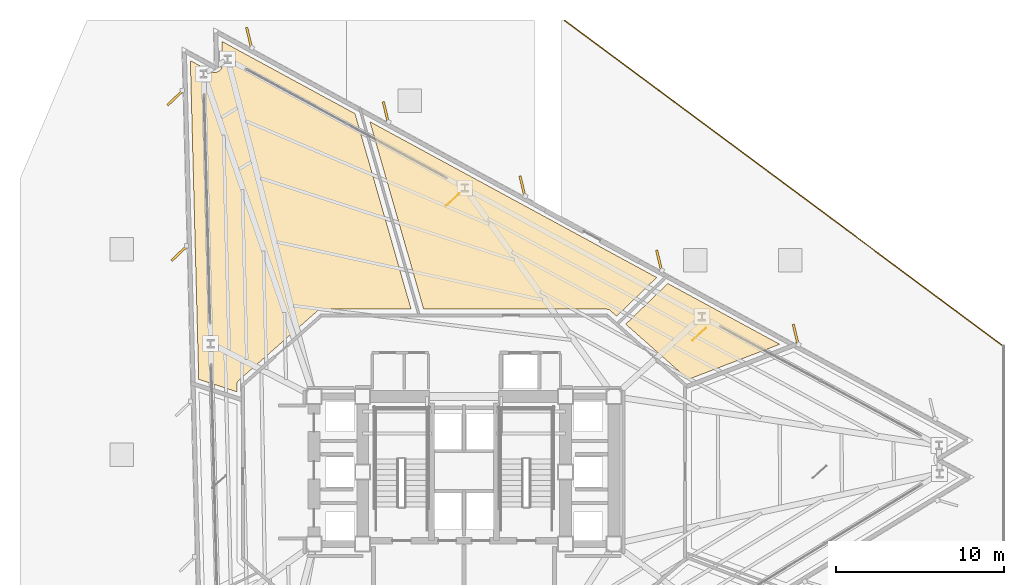
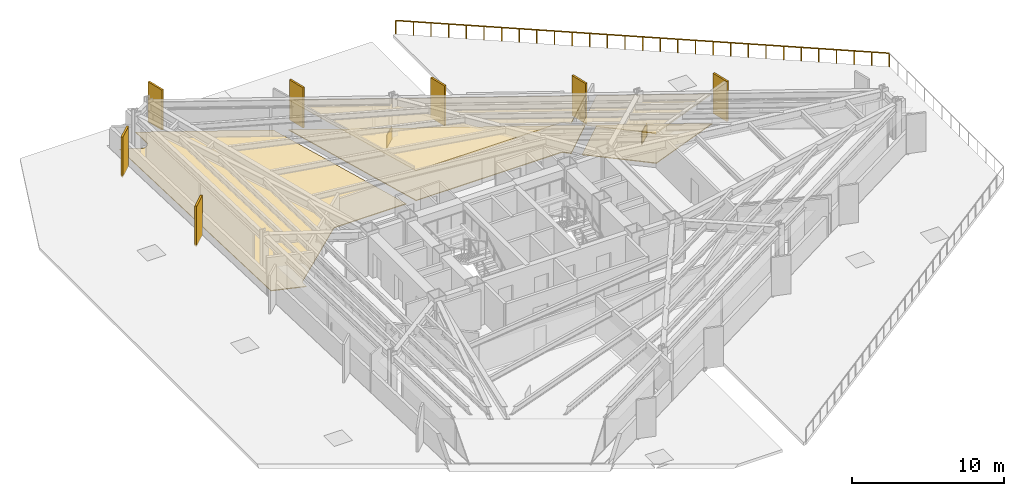
# One storey, part 13 of 13: 7 coverings, 7 shading devices, 1 railing.
"""IFC4 building model written with IfcOpenShell, lengths in metres."""

from ifc_helpers import new_model, si_unit, direction, frame, origin, origin_2d, place, context, subcontext, project, spatial, polyline, rectangle, outline, extrude, material, layer, layer_set, type_object, element, save


model = new_model("IFC4")

# Units and contexts
model_context = context("Model", 3, precision=1e-05, world=origin(), true_north=direction((0.0, 1.0)))
body_context = subcontext(model_context, "Body", "Model", "MODEL_VIEW")
ifc_project = project(units=[si_unit("LENGTHUNIT", "METRE"), si_unit("AREAUNIT", "SQUARE_METRE"), si_unit("VOLUMEUNIT", "CUBIC_METRE"), si_unit("PLANEANGLEUNIT", "RADIAN"), si_unit("MASSUNIT", "GRAM", prefix="KILO")], contexts=[model_context])

# Site, building, storey
site_placement = place(None, origin())
site = spatial("IfcSite", under=ifc_project, at=site_placement, CompositionType="ELEMENT")
building_placement = place(site_placement, origin())
building = spatial("IfcBuilding", under=site, at=building_placement, Name="Rocaltana Carrier Exchange", CompositionType="ELEMENT")
storey_placement = place(building_placement, frame((0.0, 0.0, 18.8798828125)))
storey = spatial("IfcBuildingStorey", under=building, at=storey_placement, Name="L06", CompositionType="ELEMENT", Elevation=18.8798828125)

# Coverings
ifc_material_1 = material(Name="Calcium Sulphate & Aluminium Pedestal", Category="aluminium")
ifc_layer_1 = layer(ifc_material_1, 0.06005859375)
ifc_layer_set_1 = layer_set([ifc_layer_1], Name="Calcium Sulphate & Aluminium Pedestal")
covering_type_1 = type_object("IfcCoveringType", Name="Anti-Static Raised Exchange Access Floor 60", PredefinedType="FLOORING", material=ifc_layer_set_1)
covering_1_placement = place(storey_placement, origin())
element("IfcCovering", 1, at=covering_1_placement, inside=storey, type_object=covering_type_1, Name="L06 Peering Conference Room Finish Floor", PredefinedType="FLOORING", context=body_context, shape_type="SweptSolid", body=[
    extrude(outline(polyline([(13.379638671875, 5.521484375), (9.64794921875, 8.816650390625), (12.16259765625, 11.2451171875), (18.842041015625, 7.618408203125), (13.379638671875, 5.521484375)])), origin(), (0.0, 0.0, 1.0), 0.06005859375),
])
covering_2_placement = place(storey_placement, origin())
element("IfcCovering", 2, at=covering_2_placement, inside=storey, type_object=covering_type_1, Name="L06 Network Operations Office Finish Floor", PredefinedType="FLOORING", context=body_context, shape_type="SweptSolid", body=[
    extrude(outline(polyline([(11.499267578125, 11.605224609375), (9.106689453125, 9.294677734375), (8.73828125, 9.619873046875), (8.727294921875, 9.629150390625), (8.720703125, 9.63427734375), (8.697265625, 9.651123046875), (8.690185546875, 9.655517578125), (8.6650390625, 9.669921875), (8.65771484375, 9.673583984375), (8.631103515625, 9.68505859375), (8.62353515625, 9.68798828125), (8.595947265625, 9.697021484375), (8.587890625, 9.698974609375), (8.5595703125, 9.704833984375), (8.551513671875, 9.706298828125), (8.522705078125, 9.709228515625), (8.514404296875, 9.709716796875), (8.5, 9.7099609375), (-2.409912109375, 9.7099609375), (-5.618408203125, 20.8994140625), (11.499267578125, 11.605224609375)])), origin(), (0.0, 0.0, 1.0), 0.06005859375),
])
covering_3_placement = place(storey_placement, origin())
element("IfcCovering", 3, at=covering_3_placement, inside=storey, type_object=covering_type_1, Name="L06 Quiet Focus Lounge Finish Floor", PredefinedType="FLOORING", context=body_context, shape_type="SweptSolid", body=[
    extrude(outline(polyline([(-16.333984375, 24.54931640625), (-15.131103515625, 23.896484375), (-15.118896484375, 23.889892578125), (-15.100830078125, 23.88134765625), (-15.0751953125, 23.87060546875), (-15.056396484375, 23.86376953125), (-15.02978515625, 23.855712890625), (-15.01025390625, 23.8505859375), (-14.98291015625, 23.84521484375), (-14.96337890625, 23.84228515625), (-14.935546875, 23.839599609375), (-14.91552734375, 23.83837890625), (-14.8876953125, 23.838623046875), (-14.86767578125, 23.839599609375), (-14.840087890625, 23.84228515625), (-14.8203125, 23.845458984375), (-14.79296875, 23.85107421875), (-14.773681640625, 23.85595703125), (-14.746826171875, 23.8642578125), (-14.728271484375, 23.87109375), (-14.702392578125, 23.8818359375), (-14.6845703125, 23.890625), (-14.659912109375, 23.90380859375), (-14.64306640625, 23.914306640625), (-14.6201171875, 23.93017578125), (-14.60400390625, 23.942138671875), (-14.582763671875, 23.960205078125), (-14.568115234375, 23.9736328125), (-14.548583984375, 23.99365234375), (-14.535400390625, 24.0087890625), (-14.51806640625, 24.030517578125), (-14.506591796875, 24.046630859375), (-14.491455078125, 24.0703125), (-14.4814453125, 24.08740234375), (-14.46875, 24.1123046875), (-14.460693359375, 24.130615234375), (-14.450439453125, 24.156494140625), (-14.444091796875, 24.17529296875), (-14.4365234375, 24.202392578125), (-14.43212890625, 24.2216796875), (-14.42724609375, 24.249267578125), (-14.4248046875, 24.26904296875), (-14.4228515625, 24.296875), (-14.42236328125, 24.31689453125), (-14.42236328125, 24.330810546875), (-14.458251953125, 25.698974609375), (-6.50537109375, 21.380859375), (-3.15869140625, 9.7099609375), (-8.5, 9.7099609375), (-8.514404296875, 9.709716796875), (-8.522705078125, 9.709228515625), (-8.551513671875, 9.706298828125), (-8.5595703125, 9.704833984375), (-8.587890625, 9.698974609375), (-8.595947265625, 9.697021484375), (-8.62353515625, 9.68798828125), (-8.631103515625, 9.68505859375), (-8.65771484375, 9.673583984375), (-8.6650390625, 9.669921875), (-8.690185546875, 9.655517578125), (-8.697265625, 9.651123046875), (-8.720703125, 9.63427734375), (-8.727294921875, 9.629150390625), (-8.73828125, 9.619873046875), (-13.438232421875, 5.469970703125), (-13.447998046875, 5.4609375), (-13.453369140625, 5.455810546875), (-13.471435546875, 5.436279296875), (-13.476318359375, 5.4306640625), (-13.492431640625, 5.409912109375), (-13.49658203125, 5.40380859375), (-13.5107421875, 5.38134765625), (-13.5146484375, 5.375), (-13.526611328125, 5.351318359375), (-13.529541015625, 5.344482421875), (-13.539306640625, 5.320068359375), (-13.541748046875, 5.31298828125), (-13.549072265625, 5.28759765625), (-13.55078125, 5.2802734375), (-13.555908203125, 5.25439453125), (-13.556884765625, 5.246826171875), (-13.559326171875, 5.220703125), (-13.559814453125, 5.213134765625), (-13.56005859375, 5.199951171875), (-13.56005859375, 4.784423828125), (-15.835693359375, 5.52392578125), (-16.333984375, 24.54931640625)])), origin(), (0.0, 0.0, 1.0), 0.06005859375),
])
ifc_material_2 = material(Name="Mineral Fibre & Powder-Coated Aluminium", Category="aluminium")
ifc_layer_2 = layer(ifc_material_2, 0.044921875)
ifc_layer_set_2 = layer_set([ifc_layer_2], Name="Mineral Fibre & Powder-Coated Aluminium")
covering_type_2 = type_object("IfcCoveringType", Name="Micro-Perforated Acoustic Ceiling 45", PredefinedType="CEILING", material=ifc_layer_set_2)
covering_4_placement = place(storey_placement, frame((0.0, 0.0, 2.403076171875)))
element("IfcCovering", 4, at=covering_4_placement, inside=storey, type_object=covering_type_2, Name="L06 Peering Conference Room Acoustic Ceiling", PredefinedType="CEILING", context=body_context, shape_type="SweptSolid", body=[
    extrude(outline(polyline([(13.379638671875, 5.521484375), (9.64794921875, 8.816650390625), (12.16259765625, 11.2451171875), (18.842041015625, 7.618408203125), (13.379638671875, 5.521484375)])), origin(), (0.0, 0.0, 1.0), 0.044921875),
])
covering_5_placement = place(storey_placement, frame((0.0, 0.0, 2.403076171875)))
element("IfcCovering", 5, at=covering_5_placement, inside=storey, type_object=covering_type_2, Name="L06 Network Operations Office Acoustic Ceiling", PredefinedType="CEILING", context=body_context, shape_type="SweptSolid", body=[
    extrude(outline(polyline([(11.499267578125, 11.605224609375), (9.106689453125, 9.294677734375), (8.73828125, 9.619873046875), (8.727294921875, 9.629150390625), (8.720703125, 9.63427734375), (8.697265625, 9.651123046875), (8.690185546875, 9.655517578125), (8.6650390625, 9.669921875), (8.65771484375, 9.673583984375), (8.631103515625, 9.68505859375), (8.62353515625, 9.68798828125), (8.595947265625, 9.697021484375), (8.587890625, 9.698974609375), (8.5595703125, 9.704833984375), (8.551513671875, 9.706298828125), (8.522705078125, 9.709228515625), (8.514404296875, 9.709716796875), (8.5, 9.7099609375), (-2.409912109375, 9.7099609375), (-5.618408203125, 20.8994140625), (11.499267578125, 11.605224609375)])), origin(), (0.0, 0.0, 1.0), 0.044921875),
])
ifc_material_3 = material(Name="Honed Piedra Muneca Sandstone", Category="masonry")
ifc_layer_3 = layer(ifc_material_3, 0.034912109375)
ifc_layer_set_3 = layer_set([ifc_layer_3], Name="Honed Piedra Muneca Sandstone")
covering_type_3 = type_object("IfcCoveringType", Name="Stone Facade Cladding 35", PredefinedType="CLADDING", material=ifc_layer_set_3)
for number, where, z_axis, x_axis, name in (
    (6, (14.03271484375, 8.217529296875, 0.0), (0.0, 0.0, 1.0), (0.743144825477, 0.669130606359, 0.0), "L06 Stone Facade Cladding Panel 5"),
    (7, (-0.672607421875, 16.252197265625, 0.0), (0.0, 0.0, 1.0), (0.743144825477, 0.669130606359, 0.0), "L06 Stone Facade Cladding Panel 6"),
):
    element("IfcCovering", number, at=place(storey_placement, frame(where, z_axis=z_axis, x_axis=x_axis)), inside=storey, type_object=covering_type_3, Name=name, PredefinedType="CLADDING", context=body_context, shape_type="SweptSolid", body=[
        extrude(rectangle(XDim=1.10009765625, YDim=0.034912109375, at=origin_2d()), origin(), (0.0, 0.0, 1.0), 1.050048828125),
    ])

# Shading devices
ifc_material_4 = material(Name="Honed Bogota Sandstone & Concrete C45/55", Category="masonry")
ifc_layer_4 = layer(ifc_material_4, 0.139892578125)
ifc_layer_set_4 = layer_set([ifc_layer_4], Name="Honed Bogota Sandstone & Concrete C45/55")
shading_device_type = type_object("IfcShadingDeviceType", Name="Vertical Sandstone Shading Fin 1320x140", PredefinedType="USERDEFINED", material=ifc_layer_set_4)
for number, where, z_axis, x_axis, name in (
    (8, (19.802001953125, 8.16748046875, -0.1201171875), (0.0, 0.0, 1.0), (-0.233445363856, 0.972369920398, 0.0), "L06 Sandstone Vertical Fin F1-02"),
    (9, (11.646484375, 12.595703125, -0.1201171875), (0.0, 0.0, 1.0), (-0.233445363856, 0.972369920398, 0.0), "L06 Sandstone Vertical Fin F1-03"),
    (10, (3.4912109375, 17.023681640625, -0.1201171875), (0.0, 0.0, 1.0), (-0.233445363856, 0.972369920398, 0.0), "L06 Sandstone Vertical Fin F1-04"),
    (11, (-4.664306640625, 21.45166015625, -0.1201171875), (0.0, 0.0, 1.0), (-0.233445363856, 0.972369920398, 0.0), "L06 Sandstone Vertical Fin F1-05"),
    (12, (-12.819580078125, 25.879638671875, -0.1201171875), (0.0, 0.0, 1.0), (-0.233445363856, 0.972369920398, 0.0), "L06 Sandstone Vertical Fin F1-06"),
    (13, (-17.21728515625, 22.342041015625, -0.1201171875), (0.0, 0.0, 1.0), (-0.725374371012, -0.688354575694, 0.0), "L06 Sandstone Vertical Fin F2-01"),
    (14, (-16.974365234375, 13.065185546875, -0.1201171875), (0.0, 0.0, 1.0), (-0.725374371012, -0.688354575694, 0.0), "L06 Sandstone Vertical Fin F2-02"),
):
    element("IfcShadingDevice", number, at=place(storey_placement, frame(where, z_axis=z_axis, x_axis=x_axis)), inside=storey, type_object=shading_device_type, Name=name, ObjectType="FIN", PredefinedType="USERDEFINED", context=body_context, shape_type="SweptSolid", body=[
        extrude(rectangle(XDim=1.320068359375, YDim=0.139892578125, at=origin_2d()), origin(), (0.0, 0.0, 1.0), 3.218017578125),
    ])

# Railing
ifc_material_5 = material(Name="Powder-Coated Aluminium 6063-T6", Category="aluminium")
ifc_layer_5 = layer(ifc_material_5, 0.06005859375)
ifc_layer_set_5 = layer_set([ifc_layer_5], Name="Powder-Coated Aluminium 6063-T6")
railing_type = type_object("IfcRailingType", Name="Wind-Floor & Terrace Perimeter Guardrail 1100", PredefinedType="GUARDRAIL", material=ifc_layer_set_5)
railing_placement = place(storey_placement, frame((6.0, 26.949951171875, 0.0)))
element("IfcRailing", 15, at=railing_placement, inside=storey, type_object=railing_type, Name="L06 Podium Roof Terrace Guardrail 1", PredefinedType="GUARDRAIL", context=body_context, shape_type="SweptSolid", body=[
    extrude(rectangle(XDim=0.048095703125, YDim=0.048095703125, at=origin_2d()), frame((0.0, 0.0, 1.076171875), z_axis=(0.80293260958, -0.5960698151, 0.0), x_axis=(0.5960698151, 0.80293260958, 0.0)), (0.0, 0.0, 1.0), 32.63037109375),
    extrude(rectangle(XDim=0.0419921875, YDim=0.0419921875, at=origin_2d()), origin(), (0.0, 0.0, 1.0), 1.052001953125),
    extrude(rectangle(XDim=0.0419921875, YDim=0.0419921875, at=origin_2d()), frame((0.935791015625, -0.694580078125, 0.0)), (0.0, 0.0, 1.0), 1.052001953125),
    extrude(rectangle(XDim=0.0419921875, YDim=0.0419921875, at=origin_2d()), frame((1.871337890625, -1.38916015625, 0.0)), (0.0, 0.0, 1.0), 1.052001953125),
    extrude(rectangle(XDim=0.0419921875, YDim=0.0419921875, at=origin_2d()), frame((2.80712890625, -2.083984375, 0.0)), (0.0, 0.0, 1.0), 1.052001953125),
    extrude(rectangle(XDim=0.0419921875, YDim=0.0419921875, at=origin_2d()), frame((3.742919921875, -2.778564453125, 0.0)), (0.0, 0.0, 1.0), 1.052001953125),
    extrude(rectangle(XDim=0.0419921875, YDim=0.0419921875, at=origin_2d()), frame((4.678466796875, -3.47314453125, 0.0)), (0.0, 0.0, 1.0), 1.052001953125),
    extrude(rectangle(XDim=0.0419921875, YDim=0.0419921875, at=origin_2d()), frame((5.6142578125, -4.16796875, 0.0)), (0.0, 0.0, 1.0), 1.052001953125),
    extrude(rectangle(XDim=0.0419921875, YDim=0.0419921875, at=origin_2d()), frame((6.550048828125, -4.862548828125, 0.0)), (0.0, 0.0, 1.0), 1.052001953125),
    extrude(rectangle(XDim=0.0419921875, YDim=0.0419921875, at=origin_2d()), frame((7.485595703125, -5.55712890625, 0.0)), (0.0, 0.0, 1.0), 1.052001953125),
    extrude(rectangle(XDim=0.0419921875, YDim=0.0419921875, at=origin_2d()), frame((8.42138671875, -6.251708984375, 0.0)), (0.0, 0.0, 1.0), 1.052001953125),
    extrude(rectangle(XDim=0.0419921875, YDim=0.0419921875, at=origin_2d()), frame((9.357177734375, -6.9462890625, 0.0)), (0.0, 0.0, 1.0), 1.052001953125),
    extrude(rectangle(XDim=0.0419921875, YDim=0.0419921875, at=origin_2d()), frame((10.292724609375, -7.64111328125, 0.0)), (0.0, 0.0, 1.0), 1.052001953125),
    extrude(rectangle(XDim=0.0419921875, YDim=0.0419921875, at=origin_2d()), frame((11.228515625, -8.335693359375, 0.0)), (0.0, 0.0, 1.0), 1.052001953125),
    extrude(rectangle(XDim=0.0419921875, YDim=0.0419921875, at=origin_2d()), frame((12.164306640625, -9.0302734375, 0.0)), (0.0, 0.0, 1.0), 1.052001953125),
    extrude(rectangle(XDim=0.0419921875, YDim=0.0419921875, at=origin_2d()), frame((13.10009765625, -9.72509765625, 0.0)), (0.0, 0.0, 1.0), 1.052001953125),
    extrude(rectangle(XDim=0.0419921875, YDim=0.0419921875, at=origin_2d()), frame((14.03564453125, -10.419677734375, 0.0)), (0.0, 0.0, 1.0), 1.052001953125),
    extrude(rectangle(XDim=0.0419921875, YDim=0.0419921875, at=origin_2d()), frame((14.971435546875, -11.1142578125, 0.0)), (0.0, 0.0, 1.0), 1.052001953125),
    extrude(rectangle(XDim=0.0419921875, YDim=0.0419921875, at=origin_2d()), frame((15.9072265625, -11.808837890625, 0.0)), (0.0, 0.0, 1.0), 1.052001953125),
    extrude(rectangle(XDim=0.0419921875, YDim=0.0419921875, at=origin_2d()), frame((16.8427734375, -12.503662109375, 0.0)), (0.0, 0.0, 1.0), 1.052001953125),
    extrude(rectangle(XDim=0.0419921875, YDim=0.0419921875, at=origin_2d()), frame((17.778564453125, -13.1982421875, 0.0)), (0.0, 0.0, 1.0), 1.052001953125),
    extrude(rectangle(XDim=0.0419921875, YDim=0.0419921875, at=origin_2d()), frame((18.71435546875, -13.892822265625, 0.0)), (0.0, 0.0, 1.0), 1.052001953125),
    extrude(rectangle(XDim=0.0419921875, YDim=0.0419921875, at=origin_2d()), frame((19.64990234375, -14.58740234375, 0.0)), (0.0, 0.0, 1.0), 1.052001953125),
    extrude(rectangle(XDim=0.0419921875, YDim=0.0419921875, at=origin_2d()), frame((20.585693359375, -15.2822265625, 0.0)), (0.0, 0.0, 1.0), 1.052001953125),
    extrude(rectangle(XDim=0.0419921875, YDim=0.0419921875, at=origin_2d()), frame((21.521484375, -15.976806640625, 0.0)), (0.0, 0.0, 1.0), 1.052001953125),
    extrude(rectangle(XDim=0.0419921875, YDim=0.0419921875, at=origin_2d()), frame((22.45703125, -16.67138671875, 0.0)), (0.0, 0.0, 1.0), 1.052001953125),
    extrude(rectangle(XDim=0.0419921875, YDim=0.0419921875, at=origin_2d()), frame((23.392822265625, -17.365966796875, 0.0)), (0.0, 0.0, 1.0), 1.052001953125),
    extrude(rectangle(XDim=0.0419921875, YDim=0.0419921875, at=origin_2d()), frame((24.32861328125, -18.060546875, 0.0)), (0.0, 0.0, 1.0), 1.052001953125),
    extrude(rectangle(XDim=0.0419921875, YDim=0.0419921875, at=origin_2d()), frame((25.26416015625, -18.75537109375, 0.0)), (0.0, 0.0, 1.0), 1.052001953125),
    extrude(rectangle(XDim=0.0419921875, YDim=0.0419921875, at=origin_2d()), frame((26.199951171875, -19.449951171875, 0.0)), (0.0, 0.0, 1.0), 1.052001953125),
])

save(model, "model.ifc")
